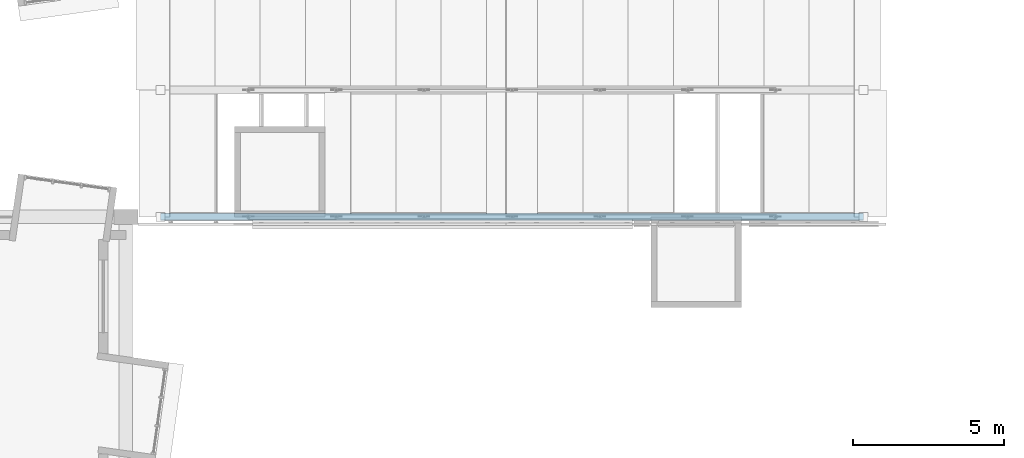
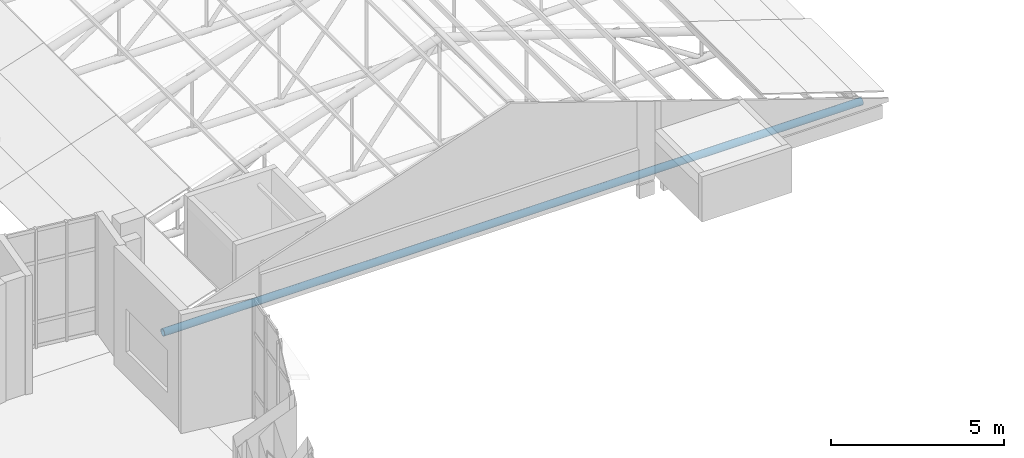
# One storey, part 6 of 95: 1 member.
"""IFC4 building model written with IfcOpenShell, lengths in metres."""

from ifc_helpers import new_model, si_unit, direction, frame, origin, origin_2d, place, context, subcontext, project, spatial, hollow_circle, extrude, material, material_profile, profile_set, type_object, element, save


model = new_model("IFC4")

# Units and contexts
model_context = context("Model", 3, precision=1e-05, world=origin(), true_north=direction((0.0, 1.0)))
body_context = subcontext(model_context, "Body", "Model", "MODEL_VIEW")
ifc_project = project(units=[si_unit("LENGTHUNIT", "METRE"), si_unit("AREAUNIT", "SQUARE_METRE"), si_unit("VOLUMEUNIT", "CUBIC_METRE"), si_unit("PLANEANGLEUNIT", "RADIAN"), si_unit("MASSUNIT", "GRAM", prefix="KILO")], contexts=[model_context])

# Site, building, storey
site_placement = place(None, origin())
site = spatial("IfcSite", under=ifc_project, at=site_placement, CompositionType="ELEMENT")
building_placement = place(site_placement, origin())
building = spatial("IfcBuilding", under=site, at=building_placement, Name="Kiln Court Media Centre", CompositionType="ELEMENT")
storey_placement = place(building_placement, frame((0.0, 0.0, 24.60009765625)))
storey = spatial("IfcBuildingStorey", under=building, at=storey_placement, Name="L05", CompositionType="ELEMENT", Elevation=24.60009765625)

# Member
ifc_material = material(Name="Steel ASTM A500 Gr C", Category="steel")
ifc_material_profile = material_profile(ifc_material, hollow_circle(Radius=0.122314453125, WallThickness=0.010009765625, at=origin_2d()), Name="CHS 244.5x10.0")
ifc_profile_set = profile_set([ifc_material_profile], Name="Steel ASTM A500 Gr C")
member_type = type_object("IfcMemberType", Name="Steel ASTM A500 Gr C CHS 244.5x10.0 truss chord", PredefinedType="CHORD", material=ifc_profile_set)
member_placement = place(storey_placement, frame((34.75, 25.199951171875, -0.013916015625), z_axis=(1.0, 0.0, 0.0), x_axis=(0.0, 1.0, 0.0)))
element("IfcMember", 1, at=member_placement, inside=storey, type_object=member_type, Name="foyer truss FT-01 bottom chord truss chord", PredefinedType="CHORD", context=body_context, shape_type="SweptSolid", body=[
    extrude(hollow_circle(Radius=0.122314453125, WallThickness=0.010009765625, at=origin_2d()), origin(), (0.0, 0.0, 1.0), 23.300048828125),
])

save(model, "model.ifc")
